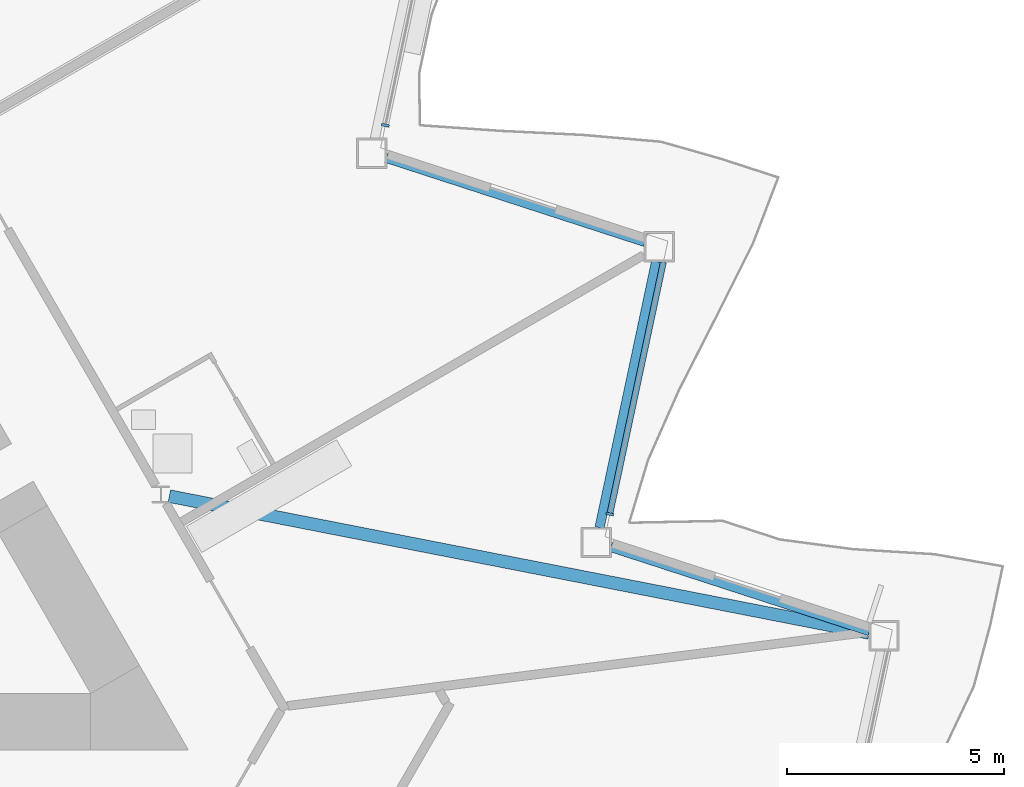
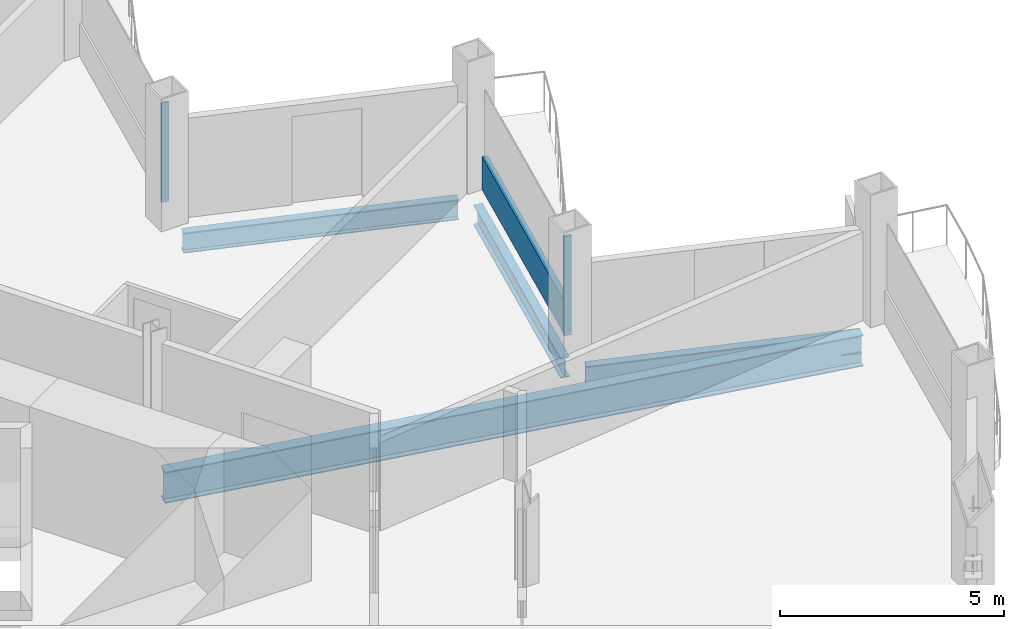
# One storey, part 7 of 23: 4 beams, 3 members, 2 elements without a shape of their own.
"""IFC4 building model written with IfcOpenShell, lengths in metres."""

import ifcopenshell
import ifcopenshell.guid

model = None  # the IFC model being written
_history = None  # IfcOwnerHistory: only IFC2X3 demands one
_inside = {}  # id of a spatial element -> (the spatial element, [elements in it])
_under = {}  # id of a project, library or spatial element -> (it, [spatial elements below it])
_declared = {}  # id of a project -> (the project, [libraries it declares])
_typed = {}  # id of a type object -> (the type object, [elements of that type])
_made_of = {}  # id of a material, layer set ... -> (it, [elements and type objects made of it])


def new_model(schema):
    """Start an empty IFC model of exactly this schema.

    Asked for "IFC4X3", IfcOpenShell would pick the latest addendum, in which some entities
    have other attributes; the version numbers below select the first issue.
    IFC2X3 requires an IfcOwnerHistory on every rooted entity: one is made here for all.
    """
    global model, _history
    if schema == "IFC4X3":
        model = ifcopenshell.file(schema_version=(4, 3, 0, 0))
    else:
        model = ifcopenshell.file(schema=schema)
    _inside.clear()
    _under.clear()
    _declared.clear()
    _typed.clear()
    _made_of.clear()
    _history = None
    if model.schema == "IFC2X3":
        org = make("IfcOrganization", Name="unknown")
        user = make(
            "IfcPersonAndOrganization",
            ThePerson=make("IfcPerson", FamilyName="unknown"),
            TheOrganization=org,
        )
        app = make(
            "IfcApplication",
            ApplicationDeveloper=org,
            Version="unknown",
            ApplicationFullName="unknown",
            ApplicationIdentifier="unknown",
        )
        _history = make(
            "IfcOwnerHistory",
            OwningUser=user,
            OwningApplication=app,
            ChangeAction="ADDED",
            CreationDate=0,
        )
    return model


def make(cls, **values):
    """One entity of the class cls with the attributes given. An attribute that is None is left unset."""
    return model.create_entity(
        cls, **{name: value for name, value in values.items() if value is not None}
    )


def rooted(cls, **values):
    """An entity with a GlobalId (a new one), such as an element, a storey or a relation."""
    return make(cls, GlobalId=ifcopenshell.guid.new(), OwnerHistory=_history, **values)


def si_unit(unit_type, name, prefix=None):
    """IfcSIUnit, for example si_unit("LENGTHUNIT", "METRE", prefix="MILLI")."""
    return make("IfcSIUnit", UnitType=unit_type, Prefix=prefix, Name=name)


def assignment(units):
    """IfcUnitAssignment: the units of a project."""
    return None if units is None else make("IfcUnitAssignment", Units=units)


def point(xyz):
    """IfcCartesianPoint."""
    return None if xyz is None else make("IfcCartesianPoint", Coordinates=xyz)


def direction(xyz):
    """IfcDirection."""
    return None if xyz is None else make("IfcDirection", DirectionRatios=xyz)


def frame(location, z_axis=None, x_axis=None):
    """IfcAxis2Placement3D, a coordinate frame: its origin and axes. An axis left out is left unset."""
    return make(
        "IfcAxis2Placement3D",
        Location=point(location),
        Axis=direction(z_axis),
        RefDirection=direction(x_axis),
    )


def frame_2d(location, x_axis=None):
    """IfcAxis2Placement2D, a coordinate frame in the plane: its origin and x axis."""
    return make(
        "IfcAxis2Placement2D", Location=point(location), RefDirection=direction(x_axis)
    )


def origin():
    """The frame at (0, 0, 0) with its axes left unset."""
    return frame((0.0, 0.0, 0.0))


def origin_2d():
    """The frame at (0, 0) in the plane with its x axis left unset."""
    return frame_2d((0.0, 0.0))


def place(relative_to, where):
    """IfcLocalPlacement: puts the frame where relative to a parent placement (None: the world)."""
    return make(
        "IfcLocalPlacement", PlacementRelTo=relative_to, RelativePlacement=where
    )


def context(
    kind, dimensions, precision=None, world=None, true_north=None, identifier=None
):
    """IfcGeometricRepresentationContext, for example the 3D "Model" context."""
    return make(
        "IfcGeometricRepresentationContext",
        ContextIdentifier=identifier,
        ContextType=kind,
        CoordinateSpaceDimension=dimensions,
        Precision=precision,
        WorldCoordinateSystem=world,
        TrueNorth=true_north,
    )


def subcontext(parent, identifier, kind, view, scale=None):
    """IfcGeometricRepresentationSubContext, for example "Body" below "Model"."""
    return make(
        "IfcGeometricRepresentationSubContext",
        ContextIdentifier=identifier,
        ContextType=kind,
        ParentContext=parent,
        TargetScale=scale,
        TargetView=view,
    )


def project(units=None, contexts=None):
    """IfcProject with its units and contexts."""
    return rooted(
        "IfcProject",
        Name="project",
        RepresentationContexts=contexts,
        UnitsInContext=assignment(units),
    )


def spatial(cls, under=None, at=None, **own):
    """A site, building, storey or space (cls), placed at a placement, below another one or the project."""
    s = rooted(cls, ObjectPlacement=at, **own)
    if under is not None:
        _under.setdefault(under.id(), (under, []))[1].append(s)
    return s


def profile(cls, at=None, kind="AREA", **sizes):
    """A parametric profile (cls). Its sizes go by their IFC names, for example OverallWidth=200.0."""
    return make(cls, ProfileType=kind, Position=at, **sizes)


def rectangle(**sizes):
    """IfcRectangleProfileDef."""
    return profile("IfcRectangleProfileDef", **sizes)


def i_section(**sizes):
    """IfcIShapeProfileDef."""
    return profile("IfcIShapeProfileDef", **sizes)


def extrude(swept, where, along, depth):
    """IfcExtrudedAreaSolid: the profile swept, set in the frame where, extruded along a direction by depth."""
    return make(
        "IfcExtrudedAreaSolid",
        SweptArea=swept,
        Position=where,
        ExtrudedDirection=direction(along),
        Depth=depth,
    )


def shape(context_of_items, identifier, shape_type, items):
    """IfcShapeRepresentation: the items that make up one representation, for example the "Body"."""
    return make(
        "IfcShapeRepresentation",
        ContextOfItems=context_of_items,
        RepresentationIdentifier=identifier,
        RepresentationType=shape_type,
        Items=items,
    )


def material(Name=None, Category=None):
    """IfcMaterial."""
    return make("IfcMaterial", Name=Name, Category=Category)


def layer(
    of_material, thickness, ventilated=None, Name=None, Category=None, Priority=None
):
    """IfcMaterialLayer: one layer of a wall or slab, of a material (None: an air gap)."""
    return make(
        "IfcMaterialLayer",
        Material=of_material,
        LayerThickness=thickness,
        IsVentilated=ventilated,
        Name=Name,
        Category=Category,
        Priority=Priority,
    )


def layer_set(layers, Name=None):
    """IfcMaterialLayerSet."""
    return make("IfcMaterialLayerSet", MaterialLayers=layers, LayerSetName=Name)


def material_profile(
    of_material, cross_section, Name=None, Category=None, Priority=None
):
    """IfcMaterialProfile: a cross section and its material."""
    return make(
        "IfcMaterialProfile",
        Name=Name,
        Material=of_material,
        Profile=cross_section,
        Priority=Priority,
        Category=Category,
    )


def profile_set(profiles, Name=None, composite=None):
    """IfcMaterialProfileSet."""
    return make(
        "IfcMaterialProfileSet",
        Name=Name,
        MaterialProfiles=profiles,
        CompositeProfile=composite,
    )


def made_of(thing, what):
    """Note that an element or type object is made of a material, layer set ...; save() writes the relation."""
    if what is not None:
        _made_of.setdefault(what.id(), (what, []))[1].append(thing)
    return thing


def type_object(cls, material=None, **own):
    """A type object (cls), such as IfcWallType, which elements share."""
    return made_of(rooted(cls, **own), material)


def element(
    cls,
    number,
    at=None,
    inside=None,
    cuts=None,
    type_object=None,
    material=None,
    context=None,
    identifier="Body",
    shape_type=None,
    held_by="IfcProductDefinitionShape",
    body=None,
    shapes=None,
    **own,
):
    """One element of the class cls, such as IfcWall. Its Tag is "e" and its number.

    at: its placement. inside: the storey or other place that contains it. cuts: it is an
    opening in that element (IfcRelVoidsElement). A single representation is given by context,
    identifier, shape_type and body (its items); several are given by shapes. held_by: the class
    of the entity that holds the representations. save() writes the other relations.
    """
    e = rooted(cls, Tag="e%d" % number, ObjectPlacement=at, **own)
    if body is not None:
        shapes = [shape(context, identifier, shape_type, body)]
    if shapes is not None:
        e.Representation = make(held_by, Representations=shapes)
    if inside is not None:
        _inside.setdefault(inside.id(), (inside, []))[1].append(e)
    if cuts is not None:
        rooted(
            "IfcRelVoidsElement", RelatingBuildingElement=cuts, RelatedOpeningElement=e
        )
    if type_object is not None:
        _typed.setdefault(type_object.id(), (type_object, []))[1].append(e)
    return made_of(e, material)


def aggregate(whole, parts):
    """IfcRelAggregates: a whole, such as a stair, and the parts it consists of."""
    return rooted("IfcRelAggregates", RelatingObject=whole, RelatedObjects=parts)


def save(model, path):
    """Write the relations noted so far, then the file.

    IfcRelAggregates (storeys below a building ...), IfcRelContainedInSpatialStructure (elements
    in a storey), IfcRelDefinesByType, IfcRelAssociatesMaterial and IfcRelDeclares: one each for
    every whole, place, type object, material and project.
    """
    for whole, parts in _under.values():
        aggregate(whole, parts)
    for where, things in _inside.values():
        rooted(
            "IfcRelContainedInSpatialStructure",
            RelatedElements=things,
            RelatingStructure=where,
        )
    for kind, things in _typed.values():
        rooted("IfcRelDefinesByType", RelatedObjects=things, RelatingType=kind)
    for what, things in _made_of.values():
        rooted("IfcRelAssociatesMaterial", RelatedObjects=things, RelatingMaterial=what)
    for by, libraries in _declared.values():
        rooted("IfcRelDeclares", RelatingContext=by, RelatedDefinitions=libraries)
    model.write(path)


model = new_model("IFC4")

# Units and contexts
model_context = context("Model", 3, precision=1e-05, world=origin(), true_north=direction((0.0, 1.0)))
body_context = subcontext(model_context, "Body", "Model", "MODEL_VIEW")
ifc_project = project(units=[si_unit("LENGTHUNIT", "METRE"), si_unit("AREAUNIT", "SQUARE_METRE"), si_unit("VOLUMEUNIT", "CUBIC_METRE"), si_unit("PLANEANGLEUNIT", "RADIAN"), si_unit("MASSUNIT", "GRAM", prefix="KILO")], contexts=[model_context])

# Site, building, storey
site_placement = place(None, origin())
site = spatial("IfcSite", under=ifc_project, at=site_placement, CompositionType="ELEMENT")
building_placement = place(site_placement, origin())
building = spatial("IfcBuilding", under=site, at=building_placement, Name="Cormorant Prow Tower", CompositionType="ELEMENT")
storey_placement = place(building_placement, frame((0.0, 0.0, 263.39990234375)))
storey = spatial("IfcBuildingStorey", under=building, at=storey_placement, Name="L59", CompositionType="ELEMENT", Elevation=263.39990234375)

# Curtain wall, member
ifc_material_1 = material(Name="Aluminium 6063-T6", Category="aluminium")
ifc_layer = layer(ifc_material_1, 0.179931640625)
ifc_layer_set = layer_set([ifc_layer], Name="Aluminium 6063-T6")
curtain_wall_type = type_object("IfcCurtainWallType", Name="Hotel unitised curtain wall 180", PredefinedType="NOTDEFINED", material=ifc_layer_set)
curtain_wall_1_placement = place(storey_placement, origin())
curtain_wall_1 = element("IfcCurtainWall", 1, at=curtain_wall_1_placement, inside=storey, type_object=curtain_wall_type, Name="Hotel curtain wall ENE02", PredefinedType="NOTDEFINED")
ifc_material_2 = material(Name="Aluminium 6063-T6", Category="aluminium")
ifc_material_profile_1 = material_profile(ifc_material_2, rectangle(XDim=0.179931640625, YDim=0.06005859375, at=origin_2d()), Name="Hotel mullion 60x180")
ifc_profile_set_1 = profile_set([ifc_material_profile_1], Name="Aluminium 6063-T6")
member_type_1 = type_object("IfcMemberType", Name="Hotel mullion 60x180", PredefinedType="MULLION", material=ifc_profile_set_1)
member_1_placement = place(storey_placement, frame((24.734130859375, -3.217529296875, 0.0), z_axis=(0.0, 0.0, 1.0), x_axis=(-0.978147594975, 0.207911717911, 0.0)))
member_1 = element("IfcMember", 2, at=member_1_placement, type_object=member_type_1, Name="Hotel mullion ENE02", PredefinedType="MULLION", context=body_context, shape_type="SweptSolid", body=[
    extrude(rectangle(XDim=0.179931640625, YDim=0.06005859375, at=origin_2d()), origin(), (0.0, 0.0, 1.0), 2.700927734375),
])

curtain_wall_2_placement = place(storey_placement, origin())
curtain_wall_2 = element("IfcCurtainWall", 3, at=curtain_wall_2_placement, inside=storey, type_object=curtain_wall_type, Name="Hotel curtain wall ENE04", PredefinedType="NOTDEFINED")
member_2_placement = place(storey_placement, frame((19.55126953125, 5.75927734375, 0.0), z_axis=(0.0, 0.0, 1.0), x_axis=(-0.978147588777, 0.20791174707, 0.0)))
member_2 = element("IfcMember", 4, at=member_2_placement, type_object=member_type_1, Name="Hotel mullion ENE04", PredefinedType="MULLION", context=body_context, shape_type="SweptSolid", body=[
    extrude(rectangle(XDim=0.179931640625, YDim=0.06005859375, at=origin_2d()), origin(), (0.0, 0.0, 1.0), 2.700927734375),
])
aggregate(curtain_wall_2, [member_2])

# Member
ifc_material_3 = material(Name="Terracotta", Category="masonry")
ifc_material_profile_2 = material_profile(ifc_material_3, rectangle(XDim=0.139892578125, YDim=0.89990234375, at=origin_2d()), Name="Hotel terracotta spandrel rail 140x900")
ifc_profile_set_2 = profile_set([ifc_material_profile_2], Name="Terracotta")
member_type_2 = type_object("IfcMemberType", Name="Hotel terracotta spandrel rail 140x900", PredefinedType="USERDEFINED", material=ifc_profile_set_2)
member_3_placement = place(storey_placement, frame((24.740234375, -3.18798828125, 0.4501953125), z_axis=(0.207926913672, 0.978144364892, 0.0), x_axis=(-0.978144364892, 0.207926913672, 0.0)))
member_3 = element("IfcMember", 5, at=member_3_placement, type_object=member_type_2, Name="Hotel spandrel rail ENE02", ObjectType="TRANSOM", PredefinedType="USERDEFINED", context=body_context, shape_type="SweptSolid", body=[
    extrude(rectangle(XDim=0.139892578125, YDim=0.89990234375, at=origin_2d()), origin(), (0.0, 0.0, 1.0), 5.911865234375),
])

aggregate(curtain_wall_1, [member_1, member_3])

# Beams
ifc_material_4 = material(Name="Structural steel ASTM A992 Gr 50", Category="steel")
ifc_material_profile_3 = material_profile(ifc_material_4, i_section(OverallWidth=0.29296875, OverallDepth=0.845703125, WebThickness=0.015380859375, FlangeThickness=0.0244140625, at=origin_2d()), Name="W33x141")
ifc_profile_set_3 = profile_set([ifc_material_profile_3], Name="Structural steel ASTM A992 Gr 50")
beam_type_1 = type_object("IfcBeamType", Name="Radial floor beam W33x141", PredefinedType="BEAM", material=ifc_profile_set_3)
beam_placement = place(storey_placement, frame((14.5634765625, -2.80322265625, -0.772705078125), z_axis=(0.981419133752, -0.191876220269, 0.0), x_axis=(0.191876220269, 0.981419133752, 0.0)))
element("IfcBeam", 6, at=beam_placement, inside=storey, type_object=beam_type_1, Name="Radial floor beam FB2 10 L59", PredefinedType="BEAM", context=body_context, shape_type="SweptSolid", body=[
    extrude(i_section(OverallWidth=0.29296875, OverallDepth=0.845703125, WebThickness=0.015380859375, FlangeThickness=0.0244140625, at=origin_2d()), origin(), (0.0, 0.0, 1.0), 16.462158203125),
])
ifc_material_5 = material(Name="Structural steel ASTM A992 Gr 50", Category="steel")
ifc_material_profile_4 = material_profile(ifc_material_5, i_section(OverallWidth=0.2138671875, OverallDepth=0.549072265625, WebThickness=0.0146484375, FlangeThickness=0.023681640625, at=origin_2d()), Name="W21x93")
ifc_profile_set_4 = profile_set([ifc_material_profile_4], Name="Structural steel ASTM A992 Gr 50")
beam_type_2 = type_object("IfcBeamType", Name="Spandrel beam W21x93", PredefinedType="SPANDREL", material=ifc_profile_set_4)
for number, where, z_axis, x_axis, name in (
    (7, (30.730224609375, -5.9208984375, -0.62451171875), (-0.951061771288, 0.309000820701, 0.0), (-0.309000820701, -0.951061771288, 0.0), "Spandrel beam SB2 ENE01-ENE02 L59"),
    (8, (24.49609375, -3.529296875, -0.62451171875), (0.207941499013, 0.978141264331, 0.0), (-0.978141264331, 0.207941499013, 0.0), "Spandrel beam SB2 ENE02-ENE03 L59"),
    (9, (25.5419921875, 3.0654296875, -0.62451171875), (-0.951061771288, 0.309000820701, 0.0), (-0.309000820701, -0.951061771288, 0.0), "Spandrel beam SB2 ENE03-ENE04 L59"),
):
    element("IfcBeam", number, at=place(storey_placement, frame(where, z_axis=z_axis, x_axis=x_axis)), inside=storey, type_object=beam_type_2, Name=name, PredefinedType="SPANDREL", context=body_context, shape_type="SweptSolid", body=[
        extrude(i_section(OverallWidth=0.2138671875, OverallDepth=0.549072265625, WebThickness=0.0146484375, FlangeThickness=0.023681640625, at=origin_2d()), origin(), (0.0, 0.0, 1.0), 6.28125),
    ])

save(model, "model.ifc")
